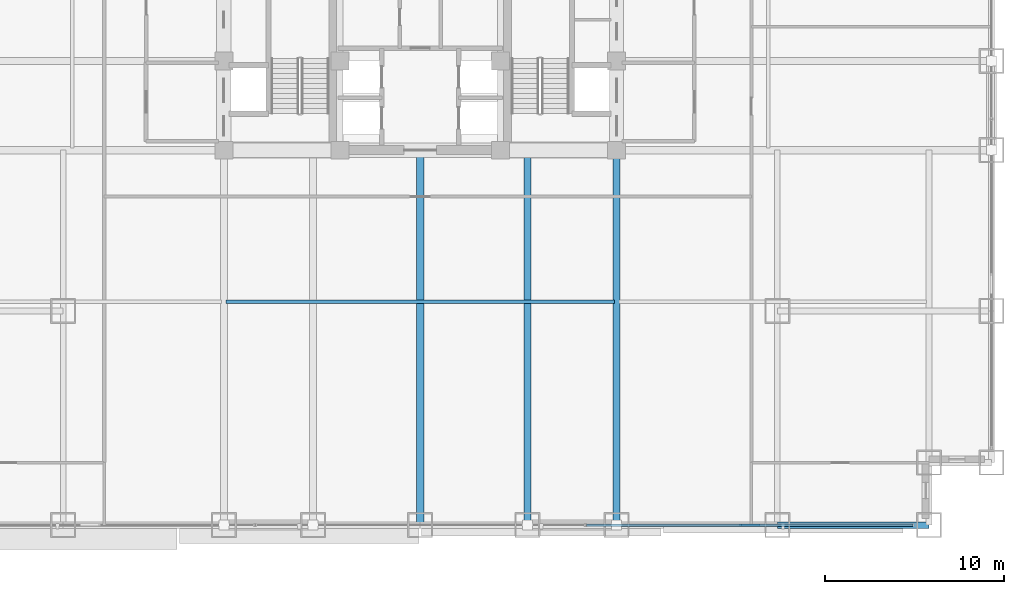
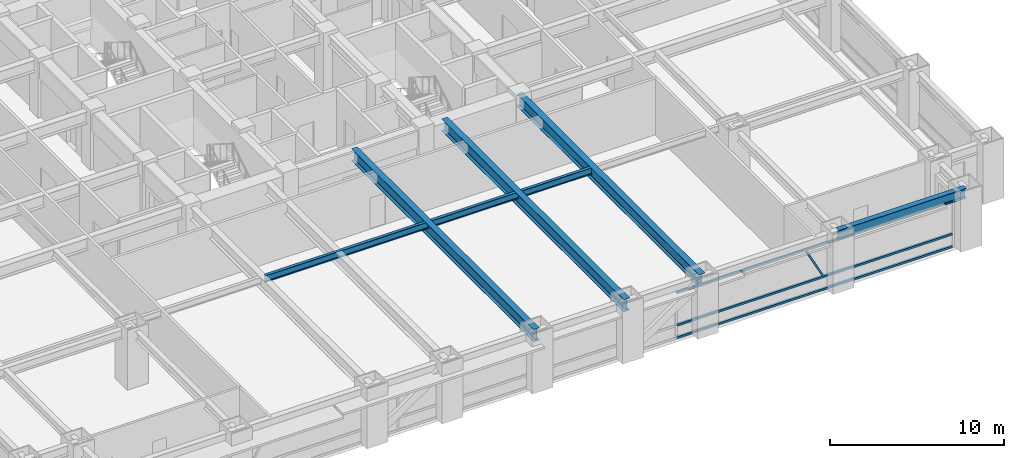
# One storey, part 9 of 31: 5 beams, 4 members, 1 element without a shape of its own.
"""IFC4 building model written with IfcOpenShell, lengths in metres."""

from ifc_helpers import new_model, si_unit, direction, frame, origin, origin_2d, place, context, subcontext, project, spatial, hollow_rectangle, i_section, extrude, source, transform, mapped, material, material_profile, profile_set, type_object, element, aggregate, save


model = new_model("IFC4")

# Units and contexts
model_context = context("Model", 3, precision=1e-05, world=origin(), true_north=direction((0.0, 1.0)))
body_context = subcontext(model_context, "Body", "Model", "MODEL_VIEW")
ifc_project = project(units=[si_unit("LENGTHUNIT", "METRE"), si_unit("AREAUNIT", "SQUARE_METRE"), si_unit("VOLUMEUNIT", "CUBIC_METRE"), si_unit("PLANEANGLEUNIT", "RADIAN"), si_unit("MASSUNIT", "GRAM", prefix="KILO")], contexts=[model_context])

# Site, building, storey
site_placement = place(None, origin())
site = spatial("IfcSite", under=ifc_project, at=site_placement, CompositionType="ELEMENT")
building_placement = place(site_placement, origin())
building = spatial("IfcBuilding", under=site, at=building_placement, Name="Khorayat Bourse Tower", CompositionType="ELEMENT")
storey_placement = place(building_placement, frame((0.0, 0.0, 32.60009765625)))
storey = spatial("IfcBuildingStorey", under=building, at=storey_placement, Name="L06", CompositionType="ELEMENT", Elevation=32.60009765625)

# Beams
ifc_material_1 = material(Name="Steel ASTM A992 Grade 50", Category="steel")
ifc_material_profile_1 = material_profile(ifc_material_1, i_section(OverallWidth=0.35498046875, OverallDepth=0.695068359375, WebThickness=0.015380859375, FlangeThickness=0.02490234375, FilletRadius=0.01806640625, at=origin_2d()), Name="W690X217")
ifc_profile_set_1 = profile_set([ifc_material_profile_1], Name="Steel ASTM A992 Grade 50")
beam_type_1 = type_object("IfcBeamType", Name="BM-SPAN-690", PredefinedType="SPANDREL", material=ifc_profile_set_1)
shared_shape_1 = source(origin(), body_context, "Body", "SweptSolid", [
    extrude(i_section(OverallWidth=0.35498046875, OverallDepth=0.695068359375, WebThickness=0.015380859375, FlangeThickness=0.02490234375, FilletRadius=0.01806640625, at=origin_2d()), origin(), (0.0, 0.0, 1.0), 8.5),
])
beam_1_placement = place(storey_placement, frame((20.0, -32.0, 3.59228515625), z_axis=(1.0, 0.0, 0.0), x_axis=(0.0, 1.0, 0.0)))
element("IfcBeam", 1, at=beam_1_placement, inside=storey, type_object=beam_type_1, Name="L06 BM-SPAN-690 BM-L06-SPN-031", PredefinedType="SPANDREL", context=body_context, shape_type="MappedRepresentation", body=[
    mapped(shared_shape_1, transform((0.0, 0.0, 0.0), scale=1.0)),
])
ifc_material_profile_2 = material_profile(ifc_material_1, i_section(OverallWidth=0.39990234375, OverallDepth=0.85498046875, WebThickness=0.018310546875, FlangeThickness=0.029296875, FilletRadius=0.02001953125, at=origin_2d()), Name="W840X299")
ifc_profile_set_2 = profile_set([ifc_material_profile_2], Name="Steel ASTM A992 Grade 50")
beam_type_2 = type_object("IfcBeamType", Name="BM-GIRD-840", PredefinedType="BEAM", material=ifc_profile_set_2)
shared_shape_2 = source(origin(), body_context, "Body", "SweptSolid", [
    extrude(i_section(OverallWidth=0.39990234375, OverallDepth=0.85498046875, WebThickness=0.018310546875, FlangeThickness=0.029296875, FilletRadius=0.02001953125, at=origin_2d()), origin(), (0.0, 0.0, 1.0), 21.0),
])
for number, where, z_axis, x_axis, name in (
    (2, (0.0, -32.0, 3.512451171875), (0.0, 1.0, 0.0), (-1.0, 0.0, 0.0), "L06 BM-GIRD-840 BM-L06-RADY-069"),
    (3, (6.0, -32.0, 3.512451171875), (0.0, 1.0, 0.0), (-1.0, 0.0, 0.0), "L06 BM-GIRD-840 BM-L06-RADY-071"),
    (4, (11.0, -32.0, 3.512451171875), (0.0, 1.0, 0.0), (-1.0, 0.0, 0.0), "L06 BM-GIRD-840 BM-L06-RADY-073"),
):
    element("IfcBeam", number, at=place(storey_placement, frame(where, z_axis=z_axis, x_axis=x_axis)), inside=storey, type_object=beam_type_2, Name=name, PredefinedType="BEAM", context=body_context, shape_type="MappedRepresentation", body=[
        mapped(shared_shape_2, transform((0.0, 0.0, 0.0), scale=1.0)),
    ])
ifc_material_profile_3 = material_profile(ifc_material_1, i_section(OverallWidth=0.194091796875, OverallDepth=0.468994140625, WebThickness=0.0126953125, FlangeThickness=0.0205078125, FilletRadius=0.012939453125, at=origin_2d()), Name="W460X106")
ifc_profile_set_3 = profile_set([ifc_material_profile_3], Name="Steel ASTM A992 Grade 50")
beam_type_3 = type_object("IfcBeamType", Name="BM-JOIST-460", PredefinedType="JOIST", material=ifc_profile_set_3)
shared_shape_3 = source(origin(), body_context, "Body", "SweptSolid", [
    extrude(i_section(OverallWidth=0.194091796875, OverallDepth=0.468994140625, WebThickness=0.0126953125, FlangeThickness=0.0205078125, FilletRadius=0.012939453125, at=origin_2d()), origin(), (0.0, 0.0, 1.0), 21.740234375),
])
beam_2_placement = place(storey_placement, frame((-10.8701171875, -19.5, 3.705322265625), z_axis=(1.0, 0.0, 0.0), x_axis=(0.0, 1.0, 0.0)))
element("IfcBeam", 5, at=beam_2_placement, inside=storey, type_object=beam_type_3, Name="L06 BM-JOIST-460 BM-L06-JSTX-097", PredefinedType="JOIST", context=body_context, shape_type="MappedRepresentation", body=[
    mapped(shared_shape_3, transform((0.0, 0.0, 0.0), scale=1.0)),
])

# Curtain wall, members
ifc_material_2 = material(Name="Aluminium EN AW-6063 T6", Category="aluminium")
curtain_wall_type = type_object("IfcCurtainWallType", Name="CW-SYS-02", PredefinedType="NOTDEFINED", material=ifc_material_2)
curtain_wall_placement = place(storey_placement, origin())
curtain_wall = element("IfcCurtainWall", 6, at=curtain_wall_placement, inside=storey, type_object=curtain_wall_type, Name="L06 Curtain Wall CW-L06-S1", PredefinedType="NOTDEFINED")
ifc_material_profile_4 = material_profile(ifc_material_2, hollow_rectangle(XDim=0.139892578125, YDim=0.139892578125, WallThickness=0.006103515625, at=origin_2d()), Name="ALU 140x140x6")
ifc_profile_set_4 = profile_set([ifc_material_profile_4], Name="Aluminium EN AW-6063 T6")
member_type_1 = type_object("IfcMemberType", Name="CWT-HORZ-140", PredefinedType="USERDEFINED", material=ifc_profile_set_4)
shared_shape_4 = source(origin(), body_context, "Body", "SweptSolid", [
    extrude(hollow_rectangle(XDim=0.139892578125, YDim=0.139892578125, WallThickness=0.006103515625, at=origin_2d()), origin(), (0.0, 0.0, 1.0), 18.2900390625),
])
member_1_placement = place(storey_placement, frame((9.320068359375, -32.0, 0.06982421875), z_axis=(1.0, 0.0, 0.0), x_axis=(0.0, 1.0, 0.0)))
member_1 = element("IfcMember", 7, at=member_1_placement, type_object=member_type_1, Name="CW-L06-S1 Horizontal Transom 3-1", ObjectType="TRANSOM", PredefinedType="USERDEFINED", context=body_context, shape_type="MappedRepresentation", body=[
    mapped(shared_shape_4, transform((0.0, 0.0, 0.0), scale=1.0)),
])
member_2_placement = place(storey_placement, frame((9.320068359375, -32.0, 0.949951171875), z_axis=(1.0, 0.0, 0.0), x_axis=(0.0, 1.0, 0.0)))
member_2 = element("IfcMember", 8, at=member_2_placement, type_object=member_type_1, Name="CW-L06-S1 Horizontal Transom 3-2", ObjectType="TRANSOM", PredefinedType="USERDEFINED", context=body_context, shape_type="MappedRepresentation", body=[
    mapped(shared_shape_4, transform((0.0, 0.0, 0.0), scale=1.0)),
])
member_3_placement = place(storey_placement, frame((9.320068359375, -32.0, 3.219970703125), z_axis=(1.0, 0.0, 0.0), x_axis=(0.0, 1.0, 0.0)))
member_3 = element("IfcMember", 9, at=member_3_placement, type_object=member_type_1, Name="CW-L06-S1 Horizontal Transom 3-3", ObjectType="TRANSOM", PredefinedType="USERDEFINED", context=body_context, shape_type="MappedRepresentation", body=[
    mapped(shared_shape_4, transform((0.0, 0.0, 0.0), scale=1.0)),
])
ifc_material_profile_5 = material_profile(ifc_material_2, hollow_rectangle(XDim=0.1201171875, YDim=0.1201171875, WallThickness=0.0048828125, at=origin_2d()), Name="ALU 120x120x5")
ifc_profile_set_5 = profile_set([ifc_material_profile_5], Name="Aluminium EN AW-6063 T6")
member_type_2 = type_object("IfcMemberType", Name="CWM-DIAG-120", PredefinedType="MULLION", material=ifc_profile_set_5)
shared_shape_5 = source(origin(), body_context, "Body", "SweptSolid", [
    extrude(hollow_rectangle(XDim=0.1201171875, YDim=0.1201171875, WallThickness=0.0048828125, at=origin_2d()), origin(), (0.0, 0.0, 1.0), 2.22607421875),
])
member_4_placement = place(storey_placement, frame((18.9833984375, -32.0, 1.099853515625), z_axis=(-0.465759992596, 0.0, 0.884911085532), x_axis=(0.0, -1.0, 0.0)))
member_4 = element("IfcMember", 10, at=member_4_placement, type_object=member_type_2, Name="CW-L06-S1 Faceted Diagonal Mullion 3", PredefinedType="MULLION", context=body_context, shape_type="MappedRepresentation", body=[
    mapped(shared_shape_5, transform((0.0, 0.0, 0.0), scale=1.0)),
])
aggregate(curtain_wall, [member_1, member_2, member_3, member_4])

save(model, "model.ifc")
